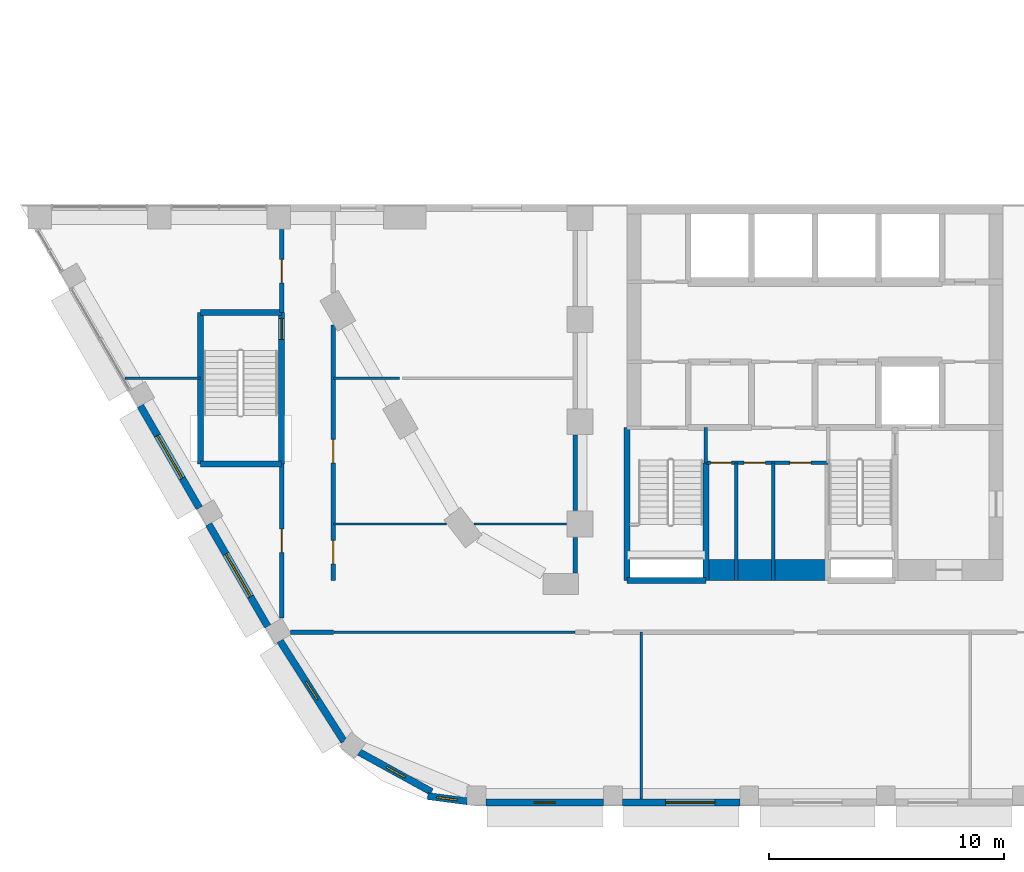
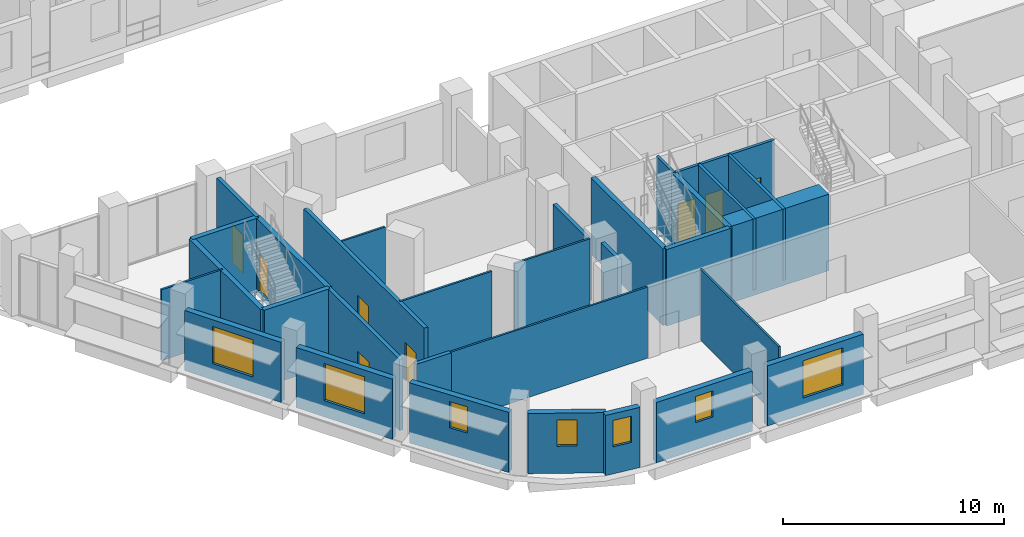
# One storey, part 10 of 22: 31 walls, 8 doors, 7 windows, 15 openings.
"""IFC4 building model written with IfcOpenShell, lengths in metres."""

from ifc_helpers import new_model, si_unit, direction, frame, frame_2d, origin, place, context, subcontext, project, spatial, rectangle, extrude, material, layer, layer_set, type_object, element, fill, save


model = new_model("IFC4")

# Units and contexts
model_context = context("Model", 3, precision=1e-05, world=origin(), true_north=direction((0.0, 1.0)))
body_context = subcontext(model_context, "Body", "Model", "MODEL_VIEW")
ifc_project = project(units=[si_unit("LENGTHUNIT", "METRE"), si_unit("AREAUNIT", "SQUARE_METRE"), si_unit("VOLUMEUNIT", "CUBIC_METRE"), si_unit("PLANEANGLEUNIT", "RADIAN"), si_unit("MASSUNIT", "GRAM", prefix="KILO")], contexts=[model_context])

# Site, building, storey
site_placement = place(None, origin())
site = spatial("IfcSite", under=ifc_project, at=site_placement, CompositionType="ELEMENT")
building_placement = place(site_placement, origin())
building = spatial("IfcBuilding", under=site, at=building_placement, Name="Nakaniwa Court", CompositionType="ELEMENT")
storey_placement = place(building_placement, frame((0.0, 0.0, 24.0)))
storey = spatial("IfcBuildingStorey", under=building, at=storey_placement, Name="L05", CompositionType="ELEMENT", Elevation=24.0)

# Wall, opening, door
ifc_material_1 = material(Name="Acoustic double stud partition")
ifc_layer_1 = layer(ifc_material_1, 0.199951171875)
ifc_layer_set_1 = layer_set([ifc_layer_1], Name="Acoustic double stud partition")
wall_type_1 = type_object("IfcWallType", Name="Acoustic double stud partition 200", PredefinedType="PARTITIONING", material=ifc_layer_set_1)
wall_1_placement = place(storey_placement, frame((57.300048828125, 55.0087890625, 0.0), z_axis=(0.0, 0.0, 1.0), x_axis=(0.0, 1.0, 0.0)))
wall_1 = element("IfcWall", 1, at=wall_1_placement, inside=storey, type_object=wall_type_1, Name="Partition PW-092", PredefinedType="PARTITIONING", context=body_context, shape_type="SweptSolid", body=[
    extrude(rectangle(XDim=6.544189453125, YDim=0.199951171875, at=frame_2d((3.27197265625, 0.0))), origin(), (0.0, 0.0, 1.0), 3.925048828125),
])
opening_1_placement = place(wall_1_placement, frame((2.77197265625, 0.0, 0.0)))
opening_1 = element("IfcOpeningElement", 2, at=opening_1_placement, cuts=wall_1, Name="Opening D-02-12", PredefinedType="OPENING", context=body_context, shape_type="SweptSolid", body=[
    extrude(rectangle(XDim=1.0, YDim=2.10009765625, at=frame_2d((0.5, 1.050048828125))), frame((0.0, 0.10986328125, 0.0), z_axis=(0.0, -1.0, 0.0), x_axis=(1.0, 0.0, 0.0)), (0.0, 0.0, 1.0), 0.219970703125),
])
ifc_material_2 = material(Name="Solid core timber door set, black veneer", Category="wood")
door_type_1 = type_object("IfcDoorType", Name="Internal door 1000", OperationType="NOTDEFINED", PredefinedType="DOOR", material=ifc_material_2)
door_1_placement = place(opening_1_placement, origin())
door_1 = element("IfcDoor", 3, at=door_1_placement, inside=storey, type_object=door_type_1, Name="Door D-02-12 L05-043", OperationType="SINGLE_SWING_RIGHT", OverallHeight=2.10009765625, OverallWidth=1.0, PredefinedType="DOOR", context=body_context, shape_type="SweptSolid", body=[
    extrude(rectangle(XDim=1.0, YDim=2.10009765625, at=frame_2d((0.5, 1.050048828125))), frame((0.0, 0.02490234375, 0.0), z_axis=(0.0, -1.0, 0.0), x_axis=(1.0, 0.0, 0.0)), (0.0, 0.0, 1.0), 0.050048828125),
])
fill(opening_1, door_1)

wall_2_placement = place(storey_placement, frame((57.300048828125, 67.9970703125, 0.0), z_axis=(0.0, 0.0, 1.0), x_axis=(0.0, 1.0, 0.0)))
wall_2 = element("IfcWall", 4, at=wall_2_placement, inside=storey, type_object=wall_type_1, Name="Partition PW-093", PredefinedType="PARTITIONING", context=body_context, shape_type="SweptSolid", body=[
    extrude(rectangle(XDim=3.535888671875, YDim=0.199951171875, at=frame_2d((1.76806640625, 0.0))), origin(), (0.0, 0.0, 1.0), 3.925048828125),
])
opening_2_placement = place(wall_2_placement, frame((1.26806640625, 0.0, 0.0)))
opening_2 = element("IfcOpeningElement", 5, at=opening_2_placement, cuts=wall_2, Name="Opening D-02-11", PredefinedType="OPENING", context=body_context, shape_type="SweptSolid", body=[
    extrude(rectangle(XDim=1.0, YDim=2.10009765625, at=frame_2d((0.5, 1.050048828125))), frame((0.0, 0.10986328125, 0.0), z_axis=(0.0, -1.0, 0.0), x_axis=(1.0, 0.0, 0.0)), (0.0, 0.0, 1.0), 0.219970703125),
])
door_2_placement = place(opening_2_placement, origin())
door_2 = element("IfcDoor", 6, at=door_2_placement, inside=storey, type_object=door_type_1, Name="Door D-02-11 L05-042", OperationType="SINGLE_SWING_LEFT", OverallHeight=2.10009765625, OverallWidth=1.0, PredefinedType="DOOR", context=body_context, shape_type="SweptSolid", body=[
    extrude(rectangle(XDim=1.0, YDim=2.10009765625, at=frame_2d((0.5, 1.050048828125))), frame((0.0, 0.02490234375, 0.0), z_axis=(0.0, -1.0, 0.0), x_axis=(1.0, 0.0, 0.0)), (0.0, 0.0, 1.0), 0.050048828125),
])
fill(opening_2, door_2)

# Wall, openings, doors
wall_3_placement = place(storey_placement, frame((59.5, 67.47021484375, 0.0), z_axis=(0.0, 0.0, 1.0), x_axis=(0.0, -1.0, 0.0)))
wall_3 = element("IfcWall", 7, at=wall_3_placement, inside=storey, type_object=wall_type_1, Name="Partition PW-096", PredefinedType="PARTITIONING", context=body_context, shape_type="SweptSolid", body=[
    extrude(rectangle(XDim=10.873291015625, YDim=0.199951171875, at=frame_2d((5.4365234375, 0.0))), origin(), (0.0, 0.0, 1.0), 3.925048828125),
])
opening_3_placement = place(wall_3_placement, frame((4.8701171875, 0.0, 0.0)))
opening_3 = element("IfcOpeningElement", 8, at=opening_3_placement, cuts=wall_3, Name="Opening D-02-17", PredefinedType="OPENING", context=body_context, shape_type="SweptSolid", body=[
    extrude(rectangle(XDim=1.0, YDim=2.10009765625, at=frame_2d((0.5, 1.050048828125))), frame((0.0, 0.10986328125, 0.0), z_axis=(0.0, -1.0, 0.0), x_axis=(1.0, 0.0, 0.0)), (0.0, 0.0, 1.0), 0.219970703125),
])
opening_4_placement = place(wall_3_placement, frame((9.169921875, 0.0, 0.0)))
opening_4 = element("IfcOpeningElement", 9, at=opening_4_placement, cuts=wall_3, Name="Opening D-02-18", PredefinedType="OPENING", context=body_context, shape_type="SweptSolid", body=[
    extrude(rectangle(XDim=1.0, YDim=2.10009765625, at=frame_2d((0.5, 1.050048828125))), frame((0.0, 0.10986328125, 0.0), z_axis=(0.0, -1.0, 0.0), x_axis=(1.0, 0.0, 0.0)), (0.0, 0.0, 1.0), 0.219970703125),
])
door_3_placement = place(opening_3_placement, origin())
door_3 = element("IfcDoor", 10, at=door_3_placement, inside=storey, type_object=door_type_1, Name="Door D-02-17 L05-048", OperationType="SINGLE_SWING_LEFT", OverallHeight=2.10009765625, OverallWidth=1.0, PredefinedType="DOOR", context=body_context, shape_type="SweptSolid", body=[
    extrude(rectangle(XDim=1.0, YDim=2.10009765625, at=frame_2d((0.5, 1.050048828125))), frame((0.0, 0.02490234375, 0.0), z_axis=(0.0, -1.0, 0.0), x_axis=(1.0, 0.0, 0.0)), (0.0, 0.0, 1.0), 0.050048828125),
])
fill(opening_3, door_3)
door_4_placement = place(opening_4_placement, origin())
door_4 = element("IfcDoor", 11, at=door_4_placement, inside=storey, type_object=door_type_1, Name="Door D-02-18 L05-049", OperationType="SINGLE_SWING_RIGHT", OverallHeight=2.10009765625, OverallWidth=1.0, PredefinedType="DOOR", context=body_context, shape_type="SweptSolid", body=[
    extrude(rectangle(XDim=1.0, YDim=2.10009765625, at=frame_2d((0.5, 1.050048828125))), frame((0.0, 0.02490234375, 0.0), z_axis=(0.0, -1.0, 0.0), x_axis=(1.0, 0.0, 0.0)), (0.0, 0.0, 1.0), 0.050048828125),
])
fill(opening_4, door_4)

# Walls
wall_4_placement = place(storey_placement, frame((69.800048828125, 56.9169921875, 0.0), z_axis=(0.0, 0.0, 1.0), x_axis=(0.0, 1.0, 0.0)))
element("IfcWall", 12, at=wall_4_placement, inside=storey, type_object=wall_type_1, Name="Partition PW-108", PredefinedType="PARTITIONING", context=body_context, shape_type="SweptSolid", body=[
    extrude(rectangle(XDim=1.51611328125, YDim=0.199951171875, at=frame_2d((0.758056640625, 0.0))), origin(), (0.0, 0.0, 1.0), 3.925048828125),
])
wall_5_placement = place(storey_placement, frame((69.800048828125, 59.56689453125, 0.0), z_axis=(0.0, 0.0, 1.0), x_axis=(0.0, 1.0, 0.0)))
element("IfcWall", 13, at=wall_5_placement, inside=storey, type_object=wall_type_1, Name="Partition PW-109", PredefinedType="PARTITIONING", context=body_context, shape_type="SweptSolid", body=[
    extrude(rectangle(XDim=3.216064453125, YDim=0.199951171875, at=frame_2d((1.60791015625, 0.0))), origin(), (0.0, 0.0, 1.0), 3.405029296875),
])
wall_6_placement = place(storey_placement, frame((57.676513671875, 54.39990234375, 0.0), z_axis=(0.0, 0.0, 1.0), x_axis=(1.0, 0.0, 0.0)))
element("IfcWall", 14, at=wall_6_placement, inside=storey, type_object=wall_type_1, Name="Partition PW-130", PredefinedType="PARTITIONING", context=body_context, shape_type="SweptSolid", body=[
    extrude(rectangle(XDim=1.823486328125, YDim=0.199951171875, at=frame_2d((0.91162109375, 0.0))), origin(), (0.0, 0.0, 1.0), 3.925048828125),
])

# Wall, opening, window
ifc_material_3 = material(Name="Charcoal ceramic cladding")
ifc_layer_2 = layer(ifc_material_3, 0.02, Name="Ceramic cladding")
ifc_material_4 = material(Name="Ventilated air cavity")
ifc_layer_3 = layer(ifc_material_4, 0.04, ventilated=True, Name="Ventilated cavity")
ifc_material_5 = material(Name="Mineral wool insulation")
ifc_layer_4 = layer(ifc_material_5, 0.1, Name="Insulation")
ifc_material_6 = material(Name="Cement bonded sheathing board")
ifc_layer_5 = layer(ifc_material_6, 0.012, Name="Sheathing")
ifc_material_7 = material(Name="Cold-formed galvanised stud frame with mineral wool infill")
ifc_layer_6 = layer(ifc_material_7, 0.1, Name="Stud frame")
ifc_material_8 = material(Name="Fire-rated gypsum plasterboard lining")
ifc_layer_7 = layer(ifc_material_8, 0.028, Name="Lining")
ifc_layer_set_2 = layer_set([ifc_layer_2, ifc_layer_3, ifc_layer_4, ifc_layer_5, ifc_layer_6, ifc_layer_7], Name="Charcoal ceramic faced external wall system")
wall_type_2 = type_object("IfcWallType", Name="Black ceramic faced external wall 300", PredefinedType="SOLIDWALL", material=ifc_layer_set_2)
wall_7_placement = place(storey_placement, frame((51.287353515625, 64.031982421875, 0.0), z_axis=(0.0, 0.0, 1.0), x_axis=(0.499974811625, -0.866039945811, 0.0)))
wall_7 = element("IfcWall", 15, at=wall_7_placement, inside=storey, type_object=wall_type_2, Name="L05 external wall 14", PredefinedType="SOLIDWALL", context=body_context, shape_type="SweptSolid", body=[
    extrude(rectangle(XDim=5.024658203125, YDim=0.300048828125, at=frame_2d((2.51220703125, 0.0))), origin(), (0.0, 0.0, 1.0), 3.324951171875),
])
opening_5_placement = place(wall_7_placement, frame((1.46240234375, 0.0, 0.89990234375)))
opening_5 = element("IfcOpeningElement", 16, at=opening_5_placement, cuts=wall_7, Name="Opening W2.07", PredefinedType="OPENING", context=body_context, shape_type="SweptSolid", body=[
    extrude(rectangle(XDim=2.10009765625, YDim=2.050048828125, at=frame_2d((1.050048828125, 1.02490234375))), frame((0.0, 0.159912109375, 0.0), z_axis=(0.0, -1.0, 0.0), x_axis=(1.0, 0.0, 0.0)), (0.0, 0.0, 1.0), 0.320068359375),
])
ifc_material_9 = material(Name="Black anodised aluminium frame with dark low-E laminated double glazing", Category="aluminium")
window_type_1 = type_object("IfcWindowType", Name="Dark glass window 2100x2050 sill 900", PartitioningType="SINGLE_PANEL", PredefinedType="WINDOW", material=ifc_material_9)
window_1_placement = place(opening_5_placement, origin())
window_1 = element("IfcWindow", 17, at=window_1_placement, inside=storey, type_object=window_type_1, Name="L05 habitable room window 14-0", OverallHeight=2.050048828125, OverallWidth=2.10009765625, PartitioningType="SINGLE_PANEL", PredefinedType="WINDOW", context=body_context, shape_type="SweptSolid", body=[
    extrude(rectangle(XDim=2.10009765625, YDim=2.050048828125, at=frame_2d((1.050048828125, 1.02490234375))), frame((0.0, 0.030029296875, 0.0), z_axis=(0.0, -1.0, 0.0), x_axis=(1.0, 0.0, 0.0)), (0.0, 0.0, 1.0), 0.06005859375),
])
fill(opening_5, window_1)

wall_8_placement = place(storey_placement, frame((54.195556640625, 58.994384765625, 0.0), z_axis=(0.0, 0.0, 1.0), x_axis=(0.500011252833, -0.866018906861, 0.0)))
wall_8 = element("IfcWall", 18, at=wall_8_placement, inside=storey, type_object=wall_type_2, Name="L05 external wall 15", PredefinedType="SOLIDWALL", context=body_context, shape_type="SweptSolid", body=[
    extrude(rectangle(XDim=5.02490234375, YDim=0.300048828125, at=frame_2d((2.512451171875, 0.0))), origin(), (0.0, 0.0, 1.0), 3.324951171875),
])
opening_6_placement = place(wall_8_placement, frame((1.46240234375, 0.0, 0.89990234375)))
opening_6 = element("IfcOpeningElement", 19, at=opening_6_placement, cuts=wall_8, Name="Opening W2.08", PredefinedType="OPENING", context=body_context, shape_type="SweptSolid", body=[
    extrude(rectangle(XDim=2.10009765625, YDim=2.050048828125, at=frame_2d((1.050048828125, 1.02490234375))), frame((0.0, 0.159912109375, 0.0), z_axis=(0.0, -1.0, 0.0), x_axis=(1.0, 0.0, 0.0)), (0.0, 0.0, 1.0), 0.320068359375),
])
window_2_placement = place(opening_6_placement, origin())
window_2 = element("IfcWindow", 20, at=window_2_placement, inside=storey, type_object=window_type_1, Name="L05 habitable room window 15-0", OverallHeight=2.050048828125, OverallWidth=2.10009765625, PartitioningType="SINGLE_PANEL", PredefinedType="WINDOW", context=body_context, shape_type="SweptSolid", body=[
    extrude(rectangle(XDim=2.10009765625, YDim=2.050048828125, at=frame_2d((1.050048828125, 1.02490234375))), frame((0.0, 0.030029296875, 0.0), z_axis=(0.0, -1.0, 0.0), x_axis=(1.0, 0.0, 0.0)), (0.0, 0.0, 1.0), 0.06005859375),
])
fill(opening_6, window_2)

wall_9_placement = place(storey_placement, frame((57.2294921875, 54.029296875, 0.0), z_axis=(0.0, 0.0, 1.0), x_axis=(0.537224370512, -0.843439372882, 0.0)))
wall_9 = element("IfcWall", 21, at=wall_9_placement, inside=storey, type_object=wall_type_2, Name="L05 external wall 16", PredefinedType="SOLIDWALL", context=body_context, shape_type="SweptSolid", body=[
    extrude(rectangle(XDim=5.07080078125, YDim=0.300048828125, at=frame_2d((2.535400390625, 0.0))), origin(), (0.0, 0.0, 1.0), 3.324951171875),
])
opening_7_placement = place(wall_9_placement, frame((2.0576171875, 0.0, 1.5)))
opening_7 = element("IfcOpeningElement", 22, at=opening_7_placement, cuts=wall_9, Name="Opening W3.09", PredefinedType="OPENING", context=body_context, shape_type="SweptSolid", body=[
    extrude(rectangle(XDim=0.89990234375, YDim=1.449951171875, at=frame_2d((0.449951171875, 0.72509765625))), frame((0.0, 0.159912109375, 0.0), z_axis=(0.0, -1.0, 0.0), x_axis=(1.0, 0.0, 0.0)), (0.0, 0.0, 1.0), 0.320068359375),
])
window_type_2 = type_object("IfcWindowType", Name="Dark glass window 900x1450 sill 1500", PartitioningType="SINGLE_PANEL", PredefinedType="WINDOW", material=ifc_material_9)
window_3_placement = place(opening_7_placement, origin())
window_3 = element("IfcWindow", 23, at=window_3_placement, inside=storey, type_object=window_type_2, Name="L05 bathroom window 16-0", OverallHeight=1.449951171875, OverallWidth=0.89990234375, PartitioningType="SINGLE_PANEL", PredefinedType="WINDOW", context=body_context, shape_type="SweptSolid", body=[
    extrude(rectangle(XDim=0.89990234375, YDim=1.449951171875, at=frame_2d((0.449951171875, 0.72509765625))), frame((0.0, 0.030029296875, 0.0), z_axis=(0.0, -1.0, 0.0), x_axis=(1.0, 0.0, 0.0)), (0.0, 0.0, 1.0), 0.06005859375),
])
fill(opening_7, window_3)

wall_10_placement = place(storey_placement, frame((60.6005859375, 49.29443359375, 0.0), z_axis=(0.0, 0.0, 1.0), x_axis=(0.876502039768, -0.481398145284, 0.0)))
wall_10 = element("IfcWall", 24, at=wall_10_placement, inside=storey, type_object=wall_type_2, Name="L05 external wall 17", PredefinedType="SOLIDWALL", context=body_context, shape_type="SweptSolid", body=[
    extrude(rectangle(XDim=3.510986328125, YDim=0.300048828125, at=frame_2d((1.75537109375, 0.0))), origin(), (0.0, 0.0, 1.0), 3.324951171875),
])
opening_8_placement = place(wall_10_placement, frame((1.33056640625, 0.0, 1.5)))
opening_8 = element("IfcOpeningElement", 25, at=opening_8_placement, cuts=wall_10, Name="Opening W3.10", PredefinedType="OPENING", context=body_context, shape_type="SweptSolid", body=[
    extrude(rectangle(XDim=0.89990234375, YDim=1.449951171875, at=frame_2d((0.449951171875, 0.72509765625))), frame((0.0, 0.159912109375, 0.0), z_axis=(0.0, -1.0, 0.0), x_axis=(1.0, 0.0, 0.0)), (0.0, 0.0, 1.0), 0.320068359375),
])
window_4_placement = place(opening_8_placement, origin())
window_4 = element("IfcWindow", 26, at=window_4_placement, inside=storey, type_object=window_type_2, Name="L05 bathroom window 17-0", OverallHeight=1.449951171875, OverallWidth=0.89990234375, PartitioningType="SINGLE_PANEL", PredefinedType="WINDOW", context=body_context, shape_type="SweptSolid", body=[
    extrude(rectangle(XDim=0.89990234375, YDim=1.449951171875, at=frame_2d((0.449951171875, 0.72509765625))), frame((0.0, 0.030029296875, 0.0), z_axis=(0.0, -1.0, 0.0), x_axis=(1.0, 0.0, 0.0)), (0.0, 0.0, 1.0), 0.06005859375),
])
fill(opening_8, window_4)

wall_11_placement = place(storey_placement, frame((63.515380859375, 47.42138671875, 0.0), z_axis=(0.0, 0.0, 1.0), x_axis=(0.991431291018, -0.130629227937, 0.0)))
wall_11 = element("IfcWall", 27, at=wall_11_placement, inside=storey, type_object=wall_type_2, Name="L05 external wall 18", PredefinedType="SOLIDWALL", context=body_context, shape_type="SweptSolid", body=[
    extrude(rectangle(XDim=1.698974609375, YDim=0.300048828125, at=frame_2d((0.849609375, 0.0))), origin(), (0.0, 0.0, 1.0), 3.324951171875),
])
opening_9_placement = place(wall_11_placement, frame((0.376220703125, 0.0, 1.5)))
opening_9 = element("IfcOpeningElement", 28, at=opening_9_placement, cuts=wall_11, Name="Opening W3.11", PredefinedType="OPENING", context=body_context, shape_type="SweptSolid", body=[
    extrude(rectangle(XDim=0.89990234375, YDim=1.449951171875, at=frame_2d((0.449951171875, 0.72509765625))), frame((0.0, 0.159912109375, 0.0), z_axis=(0.0, -1.0, 0.0), x_axis=(1.0, 0.0, 0.0)), (0.0, 0.0, 1.0), 0.320068359375),
])
window_5_placement = place(opening_9_placement, origin())
window_5 = element("IfcWindow", 29, at=window_5_placement, inside=storey, type_object=window_type_2, Name="L05 bathroom window 18-0", OverallHeight=1.449951171875, OverallWidth=0.89990234375, PartitioningType="SINGLE_PANEL", PredefinedType="WINDOW", context=body_context, shape_type="SweptSolid", body=[
    extrude(rectangle(XDim=0.89990234375, YDim=1.449951171875, at=frame_2d((0.449951171875, 0.72509765625))), frame((0.0, 0.030029296875, 0.0), z_axis=(0.0, -1.0, 0.0), x_axis=(1.0, 0.0, 0.0)), (0.0, 0.0, 1.0), 0.06005859375),
])
fill(opening_9, window_5)

wall_12_placement = place(storey_placement, frame((65.99169921875, 47.14990234375, 0.0), z_axis=(0.0, 0.0, 1.0), x_axis=(1.0, 0.0, 0.0)))
wall_12 = element("IfcWall", 30, at=wall_12_placement, inside=storey, type_object=wall_type_2, Name="L05 external wall 19", PredefinedType="SOLIDWALL", context=body_context, shape_type="SweptSolid", body=[
    extrude(rectangle(XDim=5.01025390625, YDim=0.300048828125, at=frame_2d((2.505126953125, 0.0))), origin(), (0.0, 0.0, 1.0), 3.324951171875),
])
opening_10_placement = place(wall_12_placement, frame((2.05517578125, 0.0, 1.5)))
opening_10 = element("IfcOpeningElement", 31, at=opening_10_placement, cuts=wall_12, Name="Opening W3.12", PredefinedType="OPENING", context=body_context, shape_type="SweptSolid", body=[
    extrude(rectangle(XDim=0.89990234375, YDim=1.449951171875, at=frame_2d((0.449951171875, 0.72509765625))), frame((0.0, 0.159912109375, 0.0), z_axis=(0.0, -1.0, 0.0), x_axis=(1.0, 0.0, 0.0)), (0.0, 0.0, 1.0), 0.320068359375),
])
window_6_placement = place(opening_10_placement, origin())
window_6 = element("IfcWindow", 32, at=window_6_placement, inside=storey, type_object=window_type_2, Name="L05 bathroom window 19-0", OverallHeight=1.449951171875, OverallWidth=0.89990234375, PartitioningType="SINGLE_PANEL", PredefinedType="WINDOW", context=body_context, shape_type="SweptSolid", body=[
    extrude(rectangle(XDim=0.89990234375, YDim=1.449951171875, at=frame_2d((0.449951171875, 0.72509765625))), frame((0.0, 0.030029296875, 0.0), z_axis=(0.0, -1.0, 0.0), x_axis=(1.0, 0.0, 0.0)), (0.0, 0.0, 1.0), 0.06005859375),
])
fill(opening_10, window_6)

wall_13_placement = place(storey_placement, frame((71.7939453125, 47.14990234375, 0.0), z_axis=(0.0, 0.0, 1.0), x_axis=(1.0, 0.0, 0.0)))
wall_13 = element("IfcWall", 33, at=wall_13_placement, inside=storey, type_object=wall_type_2, Name="L05 external wall 20", PredefinedType="SOLIDWALL", context=body_context, shape_type="SweptSolid", body=[
    extrude(rectangle(XDim=5.01025390625, YDim=0.300048828125, at=frame_2d((2.505126953125, 0.0))), origin(), (0.0, 0.0, 1.0), 3.324951171875),
])
opening_11_placement = place(wall_13_placement, frame((1.84619140625, 0.0, 0.89990234375)))
opening_11 = element("IfcOpeningElement", 34, at=opening_11_placement, cuts=wall_13, Name="Opening W2.13", PredefinedType="OPENING", context=body_context, shape_type="SweptSolid", body=[
    extrude(rectangle(XDim=2.10009765625, YDim=2.050048828125, at=frame_2d((1.050048828125, 1.02490234375))), frame((0.0, 0.159912109375, 0.0), z_axis=(0.0, -1.0, 0.0), x_axis=(1.0, 0.0, 0.0)), (0.0, 0.0, 1.0), 0.320068359375),
])
window_7_placement = place(opening_11_placement, origin())
window_7 = element("IfcWindow", 35, at=window_7_placement, inside=storey, type_object=window_type_1, Name="L05 habitable room window 20-1", OverallHeight=2.050048828125, OverallWidth=2.10009765625, PartitioningType="SINGLE_PANEL", PredefinedType="WINDOW", context=body_context, shape_type="SweptSolid", body=[
    extrude(rectangle(XDim=2.10009765625, YDim=2.050048828125, at=frame_2d((1.050048828125, 1.02490234375))), frame((0.0, 0.030029296875, 0.0), z_axis=(0.0, -1.0, 0.0), x_axis=(1.0, 0.0, 0.0)), (0.0, 0.0, 1.0), 0.06005859375),
])
fill(opening_11, window_7)

# Wall, openings, doors
ifc_material_10 = material(Name="Blockwork partition", Category="masonry")
ifc_layer_8 = layer(ifc_material_10, 0.14990234375)
ifc_layer_set_3 = layer_set([ifc_layer_8], Name="Blockwork partition")
wall_type_3 = type_object("IfcWallType", Name="Blockwork partition 150", PredefinedType="PARTITIONING", material=ifc_layer_set_3)
wall_14_placement = place(storey_placement, frame((80.550048828125, 61.60009765625, 0.0), z_axis=(0.0, 0.0, 1.0), x_axis=(-1.0, 0.0, 0.0)))
wall_14 = element("IfcWall", 36, at=wall_14_placement, inside=storey, type_object=wall_type_3, Name="Partition PW-074", PredefinedType="PARTITIONING", context=body_context, shape_type="SweptSolid", body=[
    extrude(rectangle(XDim=5.199951171875, YDim=0.14990234375, at=frame_2d((2.60009765625, 0.0))), origin(), (0.0, 0.0, 1.0), 3.925048828125),
])
opening_12_placement = place(wall_14_placement, frame((4.10009765625, 0.0, 0.0)))
opening_12 = element("IfcOpeningElement", 37, at=opening_12_placement, cuts=wall_14, Name="Opening D-05-14", PredefinedType="OPENING", context=body_context, shape_type="SweptSolid", body=[
    extrude(rectangle(XDim=0.89990234375, YDim=2.10009765625, at=frame_2d((0.449951171875, 1.050048828125))), frame((0.0, 0.0849609375, 0.0), z_axis=(0.0, -1.0, 0.0), x_axis=(1.0, 0.0, 0.0)), (0.0, 0.0, 1.0), 0.169921875),
])
opening_13_placement = place(wall_14_placement, frame((2.669921875, 0.0, 0.0)))
opening_13 = element("IfcOpeningElement", 38, at=opening_13_placement, cuts=wall_14, Name="Opening D-05-15", PredefinedType="OPENING", context=body_context, shape_type="SweptSolid", body=[
    extrude(rectangle(XDim=0.89990234375, YDim=2.10009765625, at=frame_2d((0.449951171875, 1.050048828125))), frame((0.0, 0.0849609375, 0.0), z_axis=(0.0, -1.0, 0.0), x_axis=(1.0, 0.0, 0.0)), (0.0, 0.0, 1.0), 0.169921875),
])
opening_14_placement = place(wall_14_placement, frame((0.719970703125, 0.0, 0.0)))
opening_14 = element("IfcOpeningElement", 39, at=opening_14_placement, cuts=wall_14, Name="Opening D-05-16", PredefinedType="OPENING", context=body_context, shape_type="SweptSolid", body=[
    extrude(rectangle(XDim=0.89990234375, YDim=2.10009765625, at=frame_2d((0.449951171875, 1.050048828125))), frame((0.0, 0.0849609375, 0.0), z_axis=(0.0, -1.0, 0.0), x_axis=(1.0, 0.0, 0.0)), (0.0, 0.0, 1.0), 0.169921875),
])
ifc_material_11 = material(Name="Fire rated steel door set", Category="steel")
door_type_2 = type_object("IfcDoorType", Name="Service room door 900", OperationType="NOTDEFINED", PredefinedType="DOOR", material=ifc_material_11)
door_5_placement = place(opening_12_placement, origin())
door_5 = element("IfcDoor", 40, at=door_5_placement, inside=storey, type_object=door_type_2, Name="Door D-05-14 L05-022", OperationType="SINGLE_SWING_LEFT", OverallHeight=2.10009765625, OverallWidth=0.89990234375, PredefinedType="DOOR", context=body_context, shape_type="SweptSolid", body=[
    extrude(rectangle(XDim=0.89990234375, YDim=2.10009765625, at=frame_2d((0.449951171875, 1.050048828125))), frame((0.0, 0.02490234375, 0.0), z_axis=(0.0, -1.0, 0.0), x_axis=(1.0, 0.0, 0.0)), (0.0, 0.0, 1.0), 0.050048828125),
])
fill(opening_12, door_5)
door_6_placement = place(opening_13_placement, origin())
door_6 = element("IfcDoor", 41, at=door_6_placement, inside=storey, type_object=door_type_2, Name="Door D-05-15 L05-023", OperationType="SINGLE_SWING_RIGHT", OverallHeight=2.10009765625, OverallWidth=0.89990234375, PredefinedType="DOOR", context=body_context, shape_type="SweptSolid", body=[
    extrude(rectangle(XDim=0.89990234375, YDim=2.10009765625, at=frame_2d((0.449951171875, 1.050048828125))), frame((0.0, 0.02490234375, 0.0), z_axis=(0.0, -1.0, 0.0), x_axis=(1.0, 0.0, 0.0)), (0.0, 0.0, 1.0), 0.050048828125),
])
fill(opening_13, door_6)
door_7_placement = place(opening_14_placement, origin())
door_7 = element("IfcDoor", 42, at=door_7_placement, inside=storey, type_object=door_type_2, Name="Door D-05-16 L05-024", OperationType="SINGLE_SWING_LEFT", OverallHeight=2.10009765625, OverallWidth=0.89990234375, PredefinedType="DOOR", context=body_context, shape_type="SweptSolid", body=[
    extrude(rectangle(XDim=0.89990234375, YDim=2.10009765625, at=frame_2d((0.449951171875, 1.050048828125))), frame((0.0, 0.02490234375, 0.0), z_axis=(0.0, -1.0, 0.0), x_axis=(1.0, 0.0, 0.0)), (0.0, 0.0, 1.0), 0.050048828125),
])
fill(opening_14, door_7)

# Walls
for number, where, z_axis, x_axis, name in (
    (43, (76.64990234375, 56.60009765625, 0.0), (0.0, 0.0, 1.0), (0.0, 1.0, 0.0), "Partition PW-075"),
    (44, (78.2099609375, 56.60009765625, 0.0), (0.0, 0.0, 1.0), (0.0, 1.0, 0.0), "Partition PW-076"),
):
    element("IfcWall", number, at=place(storey_placement, frame(where, z_axis=z_axis, x_axis=x_axis)), inside=storey, type_object=wall_type_3, Name=name, PredefinedType="PARTITIONING", context=body_context, shape_type="SweptSolid", body=[
        extrude(rectangle(XDim=5.0, YDim=0.14990234375, at=frame_2d((2.5, 0.0))), origin(), (0.0, 0.0, 1.0), 3.925048828125),
    ])
ifc_material_12 = material(Name="Concrete C100/115", Category="concrete")
ifc_layer_9 = layer(ifc_material_12, 0.14990234375)
ifc_layer_set_4 = layer_set([ifc_layer_9], Name="Concrete C100/115")
wall_type_4 = type_object("IfcWallType", Name="Concrete core wall 150 C100", PredefinedType="SHEAR", material=ifc_layer_set_4)
wall_15_placement = place(storey_placement, frame((75.35009765625, 61.596923828125, -0.300048828125), z_axis=(0.0, 0.0, 1.0), x_axis=(0.0, 1.0, 0.0)))
element("IfcWall", 45, at=wall_15_placement, inside=storey, type_object=wall_type_4, Name="Core wall SW-64", PredefinedType="SHEAR", context=body_context, shape_type="SweptSolid", body=[
    extrude(rectangle(XDim=1.503173828125, YDim=0.14990234375, at=frame_2d((0.75146484375, 0.0))), origin(), (0.0, 0.0, 1.0), 4.22509765625),
])
ifc_layer_10 = layer(ifc_material_12, 0.25)
ifc_layer_set_5 = layer_set([ifc_layer_10], Name="Concrete C100/115")
wall_type_5 = type_object("IfcWallType", Name="Concrete core wall 250 C100", PredefinedType="SHEAR", material=ifc_layer_set_5)
wall_16_placement = place(storey_placement, frame((72.0, 56.60009765625, -0.300048828125), z_axis=(0.0, 0.0, 1.0), x_axis=(0.0, 1.0, 0.0)))
element("IfcWall", 46, at=wall_16_placement, inside=storey, type_object=wall_type_5, Name="Core wall SW-66", PredefinedType="SHEAR", context=body_context, shape_type="SweptSolid", body=[
    extrude(rectangle(XDim=6.5, YDim=0.25, at=frame_2d((3.25, 0.0))), origin(), (0.0, 0.0, 1.0), 4.22509765625),
])
wall_17_placement = place(storey_placement, frame((72.0, 56.60009765625, -0.300048828125), z_axis=(0.0, 0.0, 1.0), x_axis=(1.0, 0.0, 0.0)))
element("IfcWall", 47, at=wall_17_placement, inside=storey, type_object=wall_type_5, Name="Core wall SW-67", PredefinedType="SHEAR", context=body_context, shape_type="SweptSolid", body=[
    extrude(rectangle(XDim=3.35009765625, YDim=0.25, at=frame_2d((1.675048828125, 0.0))), origin(), (0.0, 0.0, 1.0), 4.22509765625),
])

# Wall, opening, door
wall_18_placement = place(storey_placement, frame((57.300048828125, 68.0029296875, -0.300048828125), z_axis=(0.0, 0.0, 1.0), x_axis=(0.0, -1.0, 0.0)))
wall_18 = element("IfcWall", 48, at=wall_18_placement, inside=storey, type_object=wall_type_5, Name="Core wall SW-90", PredefinedType="SHEAR", context=body_context, shape_type="SweptSolid", body=[
    extrude(rectangle(XDim=6.455810546875, YDim=0.25, at=frame_2d((3.22802734375, 0.0))), origin(), (0.0, 0.0, 1.0), 4.22509765625),
])
opening_15_placement = place(wall_18_placement, frame((0.25, 0.0, 0.300048828125)))
opening_15 = element("IfcOpeningElement", 49, at=opening_15_placement, cuts=wall_18, Name="Opening D-11-06", PredefinedType="OPENING", context=body_context, shape_type="SweptSolid", body=[
    extrude(rectangle(XDim=0.89990234375, YDim=2.10009765625, at=frame_2d((0.449951171875, 1.050048828125))), frame((0.0, 0.135009765625, 0.0), z_axis=(0.0, -1.0, 0.0), x_axis=(1.0, 0.0, 0.0)), (0.0, 0.0, 1.0), 0.27001953125),
])
door_type_3 = type_object("IfcDoorType", Name="Stair door 900", OperationType="NOTDEFINED", PredefinedType="DOOR", material=ifc_material_11)
door_8_placement = place(opening_15_placement, origin())
door_8 = element("IfcDoor", 50, at=door_8_placement, inside=storey, type_object=door_type_3, Name="Door D-11-06 L05-039", OperationType="SINGLE_SWING_LEFT", OverallHeight=2.10009765625, OverallWidth=0.89990234375, PredefinedType="DOOR", context=body_context, shape_type="SweptSolid", body=[
    extrude(rectangle(XDim=0.89990234375, YDim=2.10009765625, at=frame_2d((0.449951171875, 1.050048828125))), frame((0.0, 0.02490234375, 0.0), z_axis=(0.0, -1.0, 0.0), x_axis=(1.0, 0.0, 0.0)), (0.0, 0.0, 1.0), 0.050048828125),
])
fill(opening_15, door_8)

# Walls
wall_19_placement = place(storey_placement, frame((53.85009765625, 61.550048828125, -0.300048828125), z_axis=(0.0, 0.0, 1.0), x_axis=(0.0, 1.0, 0.0)))
element("IfcWall", 51, at=wall_19_placement, inside=storey, type_object=wall_type_5, Name="Core wall SW-122", PredefinedType="SHEAR", context=body_context, shape_type="SweptSolid", body=[
    extrude(rectangle(XDim=6.449951171875, YDim=0.25, at=frame_2d((3.22509765625, 0.0))), origin(), (0.0, 0.0, 1.0), 4.22509765625),
])
for number, where, z_axis, x_axis, name in (
    (52, (53.85009765625, 68.0, -0.300048828125), (0.0, 0.0, 1.0), (1.0, 0.0, 0.0), "Core wall SW-133"),
    (53, (53.85009765625, 61.550048828125, -0.300048828125), (0.0, 0.0, 1.0), (1.0, 0.0, 0.0), "Core wall SW-135"),
):
    element("IfcWall", number, at=place(storey_placement, frame(where, z_axis=z_axis, x_axis=x_axis)), inside=storey, type_object=wall_type_5, Name=name, PredefinedType="SHEAR", context=body_context, shape_type="SweptSolid", body=[
        extrude(rectangle(XDim=3.449951171875, YDim=0.25, at=frame_2d((1.72509765625, 0.0))), origin(), (0.0, 0.0, 1.0), 4.22509765625),
    ])
ifc_layer_11 = layer(ifc_material_12, 0.89990234375)
ifc_layer_set_6 = layer_set([ifc_layer_11], Name="Concrete C100/115")
wall_type_6 = type_object("IfcWallType", Name="Concrete core wall 900 C100", PredefinedType="SHEAR", material=ifc_layer_set_6)
wall_20_placement = place(storey_placement, frame((75.35009765625, 57.050048828125, -0.300048828125), z_axis=(0.0, 0.0, 1.0), x_axis=(1.0, 0.0, 0.0)))
element("IfcWall", 54, at=wall_20_placement, inside=storey, type_object=wall_type_6, Name="Core wall SW-72", PredefinedType="SHEAR", context=body_context, shape_type="SweptSolid", body=[
    extrude(rectangle(XDim=5.199951171875, YDim=0.89990234375, at=frame_2d((2.60009765625, 0.0))), origin(), (0.0, 0.0, 1.0), 4.22509765625),
])
ifc_layer_12 = layer(ifc_material_12, 0.25)
ifc_layer_set_7 = layer_set([ifc_layer_12], Name="Concrete C100/115")
wall_type_7 = type_object("IfcWallType", Name="Concrete shaft wall 250 C100", PredefinedType="SHEAR", material=ifc_layer_set_7)
wall_21_placement = place(storey_placement, frame((75.35009765625, 56.60009765625, -0.300048828125), z_axis=(0.0, 0.0, 1.0), x_axis=(0.0, 1.0, 0.0)))
element("IfcWall", 55, at=wall_21_placement, inside=storey, type_object=wall_type_7, Name="Core wall SW-65", PredefinedType="SHEAR", context=body_context, shape_type="SweptSolid", body=[
    extrude(rectangle(XDim=5.0029296875, YDim=0.25, at=frame_2d((2.50146484375, 0.0))), origin(), (0.0, 0.0, 1.0), 4.22509765625),
])
ifc_material_13 = material(Name="Single stud plasterboard partition")
ifc_layer_13 = layer(ifc_material_13, 0.10009765625)
ifc_layer_set_8 = layer_set([ifc_layer_13], Name="Single stud plasterboard partition")
wall_type_8 = type_object("IfcWallType", Name="Single stud plasterboard partition 100", PredefinedType="PARTITIONING", material=ifc_layer_set_8)
wall_22_placement = place(storey_placement, frame((50.642822265625, 65.199951171875, 0.0), z_axis=(0.0, 0.0, 1.0), x_axis=(1.0, 0.0, 0.0)))
element("IfcWall", 56, at=wall_22_placement, inside=storey, type_object=wall_type_8, Name="Partition PW-137", PredefinedType="PARTITIONING", context=body_context, shape_type="SweptSolid", body=[
    extrude(rectangle(XDim=3.207275390625, YDim=0.10009765625, at=frame_2d((1.603515625, 0.0))), origin(), (0.0, 0.0, 1.0), 3.925048828125),
])
wall_23_placement = place(storey_placement, frame((59.5, 65.199951171875, 0.0), z_axis=(0.0, 0.0, 1.0), x_axis=(1.0, 0.0, 0.0)))
element("IfcWall", 57, at=wall_23_placement, inside=storey, type_object=wall_type_8, Name="Partition PW-138", PredefinedType="PARTITIONING", context=body_context, shape_type="SweptSolid", body=[
    extrude(rectangle(XDim=2.819580078125, YDim=0.10009765625, at=frame_2d((1.40966796875, 0.0))), origin(), (0.0, 0.0, 1.0), 3.304931640625),
])
wall_24_placement = place(storey_placement, frame((59.5, 59.0, 0.0), z_axis=(0.0, 0.0, 1.0), x_axis=(1.0, 0.0, 0.0)))
element("IfcWall", 58, at=wall_24_placement, inside=storey, type_object=wall_type_8, Name="Partition PW-143", PredefinedType="PARTITIONING", context=body_context, shape_type="SweptSolid", body=[
    extrude(rectangle(XDim=4.810302734375, YDim=0.10009765625, at=frame_2d((2.4052734375, 0.0))), origin(), (0.0, 0.0, 1.0), 3.925048828125),
])
wall_25_placement = place(storey_placement, frame((65.4951171875, 59.0, 0.0), z_axis=(0.0, 0.0, 1.0), x_axis=(1.0, 0.0, 0.0)))
element("IfcWall", 59, at=wall_25_placement, inside=storey, type_object=wall_type_8, Name="Partition PW-144", PredefinedType="PARTITIONING", context=body_context, shape_type="SweptSolid", body=[
    extrude(rectangle(XDim=3.934814453125, YDim=0.10009765625, at=frame_2d((1.96728515625, 0.0))), origin(), (0.0, 0.0, 1.0), 3.925048828125),
])
wall_26_placement = place(storey_placement, frame((72.60009765625, 47.300048828125, 0.0), z_axis=(0.0, 0.0, 1.0), x_axis=(0.0, 1.0, 0.0)))
element("IfcWall", 60, at=wall_26_placement, inside=storey, type_object=wall_type_8, Name="Partition PW-147", PredefinedType="PARTITIONING", context=body_context, shape_type="SweptSolid", body=[
    extrude(rectangle(XDim=7.099853515625, YDim=0.10009765625, at=frame_2d((3.5498046875, 0.0))), origin(), (0.0, 0.0, 1.0), 3.925048828125),
])
wall_27_placement = place(storey_placement, frame((59.52001953125, 54.39990234375, 0.0), z_axis=(0.0, 0.0, 1.0), x_axis=(1.0, 0.0, 0.0)))
element("IfcWall", 61, at=wall_27_placement, inside=storey, type_object=wall_type_8, Name="Partition PW-149", PredefinedType="PARTITIONING", context=body_context, shape_type="SweptSolid", body=[
    extrude(rectangle(XDim=10.260009765625, YDim=0.10009765625, at=frame_2d((5.1298828125, 0.0))), origin(), (0.0, 0.0, 1.0), 3.925048828125),
])

save(model, "model.ifc")
